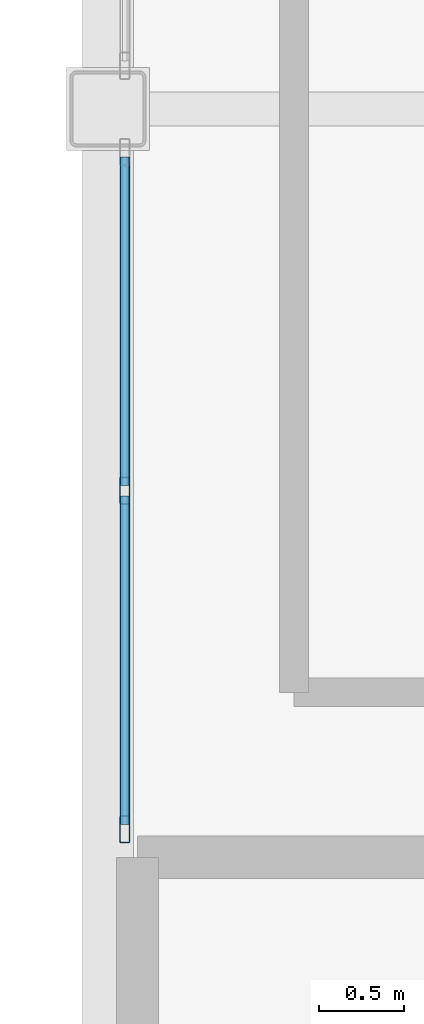
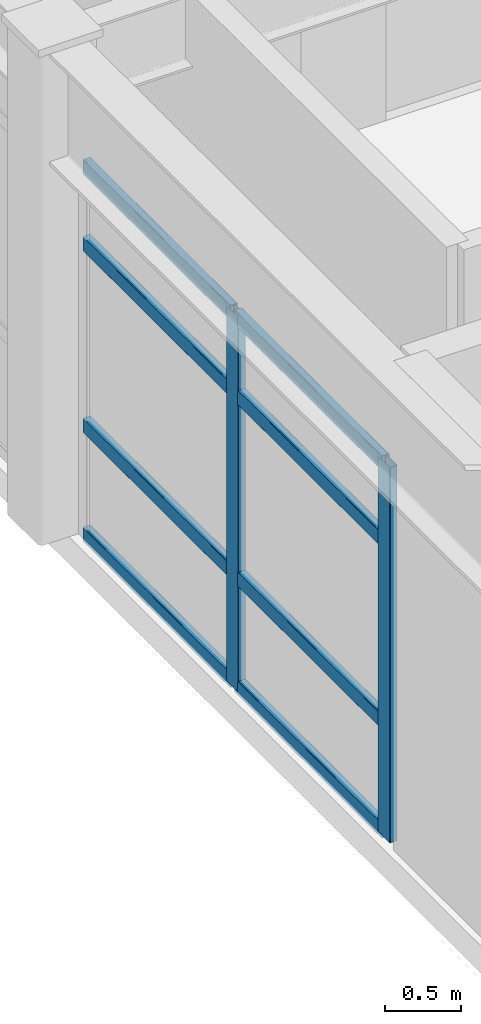
# One storey, part 16 of 34: 10 members, 1 element without a shape of its own.
"""IFC4 building model written with IfcOpenShell, lengths in metres."""

from ifc_helpers import new_model, si_unit, direction, frame, origin, origin_2d, place, context, subcontext, project, spatial, hollow_rectangle, extrude, material, layer, layer_set, material_profile, profile_set, type_object, element, aggregate, save


model = new_model("IFC4")

# Units and contexts
model_context = context("Model", 3, precision=1e-05, world=origin(), true_north=direction((0.0, 1.0)))
body_context = subcontext(model_context, "Body", "Model", "MODEL_VIEW")
ifc_project = project(units=[si_unit("LENGTHUNIT", "METRE"), si_unit("AREAUNIT", "SQUARE_METRE"), si_unit("VOLUMEUNIT", "CUBIC_METRE"), si_unit("PLANEANGLEUNIT", "RADIAN"), si_unit("MASSUNIT", "GRAM", prefix="KILO")], contexts=[model_context])

# Site, building, storey
site_placement = place(None, origin())
site = spatial("IfcSite", under=ifc_project, at=site_placement, CompositionType="ELEMENT")
building_placement = place(site_placement, origin())
building = spatial("IfcBuilding", under=site, at=building_placement, Name="Kazehara Bluff Congress Hotel", CompositionType="ELEMENT")
storey_placement = place(building_placement, frame((0.0, 0.0, 46.199951171875)))
storey = spatial("IfcBuildingStorey", under=building, at=storey_placement, Name="L11", CompositionType="ELEMENT", Elevation=46.199951171875)

# Curtain wall, members
ifc_material_1 = material(Name="Anodised aluminium", Category="aluminium")
ifc_layer = layer(ifc_material_1, 0.159912109375)
ifc_layer_set = layer_set([ifc_layer], Name="Anodised aluminium")
curtain_wall_type = type_object("IfcCurtainWallType", Name="TP-CW-215", PredefinedType="NOTDEFINED", material=ifc_layer_set)
curtain_wall_placement = place(storey_placement, origin())
curtain_wall = element("IfcCurtainWall", 1, at=curtain_wall_placement, inside=storey, type_object=curtain_wall_type, Name="L11 curtain wall CW-215 CW-ENC-V5-L11-14380-5419", PredefinedType="NOTDEFINED")
ifc_material_2 = material(Name="Anodised aluminium", Category="aluminium")
ifc_material_profile_1 = material_profile(ifc_material_2, hollow_rectangle(XDim=0.06005859375, YDim=0.159912109375, WallThickness=0.00390625, InnerFilletRadius=0.00390625, OuterFilletRadius=0.008056640625, at=origin_2d()))
ifc_profile_set_1 = profile_set([ifc_material_profile_1], Name="Anodised aluminium")
member_type_1 = type_object("IfcMemberType", Name="TP-CWM-01", PredefinedType="MULLION", material=ifc_profile_set_1)
member_1_placement = place(storey_placement, frame((143.800048828125, 52.18994140625, 0.0), z_axis=(0.0, 0.0, 1.0), x_axis=(-1.0, 0.0, 0.0)))
member_1 = element("IfcMember", 2, at=member_1_placement, type_object=member_type_1, Name="CW-215 mullion 1", PredefinedType="MULLION", context=body_context, shape_type="SweptSolid", body=[
    extrude(hollow_rectangle(XDim=0.06005859375, YDim=0.159912109375, WallThickness=0.00390625, InnerFilletRadius=0.00390625, OuterFilletRadius=0.008056640625, at=origin_2d()), origin(), (0.0, 0.0, 1.0), 3.025146484375),
])
member_2_placement = place(storey_placement, frame((143.800048828125, 54.1923828125, 0.0), z_axis=(0.0, 0.0, 1.0), x_axis=(-1.0, 0.0, 0.0)))
member_2 = element("IfcMember", 3, at=member_2_placement, type_object=member_type_1, Name="CW-215 mullion 2", PredefinedType="MULLION", context=body_context, shape_type="SweptSolid", body=[
    extrude(hollow_rectangle(XDim=0.06005859375, YDim=0.159912109375, WallThickness=0.00390625, InnerFilletRadius=0.00390625, OuterFilletRadius=0.008056640625, at=origin_2d()), origin(), (0.0, 0.0, 1.0), 3.025146484375),
])
ifc_material_3 = material(Name="Anodised aluminium", Category="aluminium")
ifc_material_profile_2 = material_profile(ifc_material_3, hollow_rectangle(XDim=0.06005859375, YDim=0.1201171875, WallThickness=0.00390625, InnerFilletRadius=0.00390625, OuterFilletRadius=0.008056640625, at=origin_2d()))
ifc_profile_set_2 = profile_set([ifc_material_profile_2], Name="Anodised aluminium")
member_type_2 = type_object("IfcMemberType", Name="TP-CWT-01", PredefinedType="USERDEFINED", material=ifc_profile_set_2)
member_3_placement = place(storey_placement, frame((143.800048828125, 52.219970703125, 0.030029296875), z_axis=(0.0, 1.0, 0.0), x_axis=(-1.0, 0.0, 0.0)))
member_3 = element("IfcMember", 4, at=member_3_placement, type_object=member_type_2, Name="CW-215 transom 1.1", ObjectType="TRANSOM", PredefinedType="USERDEFINED", context=body_context, shape_type="SweptSolid", body=[
    extrude(hollow_rectangle(XDim=0.06005859375, YDim=0.1201171875, WallThickness=0.00390625, InnerFilletRadius=0.00390625, OuterFilletRadius=0.008056640625, at=origin_2d()), origin(), (0.0, 0.0, 1.0), 1.942626953125),
])
member_4_placement = place(storey_placement, frame((143.800048828125, 52.219970703125, 0.91015625), z_axis=(0.0, 1.0, 0.0), x_axis=(-1.0, 0.0, 0.0)))
member_4 = element("IfcMember", 5, at=member_4_placement, type_object=member_type_2, Name="CW-215 transom 1.2", ObjectType="TRANSOM", PredefinedType="USERDEFINED", context=body_context, shape_type="SweptSolid", body=[
    extrude(hollow_rectangle(XDim=0.06005859375, YDim=0.1201171875, WallThickness=0.00390625, InnerFilletRadius=0.00390625, OuterFilletRadius=0.008056640625, at=origin_2d()), origin(), (0.0, 0.0, 1.0), 1.942626953125),
])
member_5_placement = place(storey_placement, frame((143.800048828125, 52.219970703125, 2.375), z_axis=(0.0, 1.0, 0.0), x_axis=(-1.0, 0.0, 0.0)))
member_5 = element("IfcMember", 6, at=member_5_placement, type_object=member_type_2, Name="CW-215 transom 1.3", ObjectType="TRANSOM", PredefinedType="USERDEFINED", context=body_context, shape_type="SweptSolid", body=[
    extrude(hollow_rectangle(XDim=0.06005859375, YDim=0.1201171875, WallThickness=0.00390625, InnerFilletRadius=0.00390625, OuterFilletRadius=0.008056640625, at=origin_2d()), origin(), (0.0, 0.0, 1.0), 1.942626953125),
])
member_6_placement = place(storey_placement, frame((143.800048828125, 52.219970703125, 2.9951171875), z_axis=(0.0, 1.0, 0.0), x_axis=(-1.0, 0.0, 0.0)))
member_6 = element("IfcMember", 7, at=member_6_placement, type_object=member_type_2, Name="CW-215 transom 1.4", ObjectType="TRANSOM", PredefinedType="USERDEFINED", context=body_context, shape_type="SweptSolid", body=[
    extrude(hollow_rectangle(XDim=0.06005859375, YDim=0.1201171875, WallThickness=0.00390625, InnerFilletRadius=0.00390625, OuterFilletRadius=0.008056640625, at=origin_2d()), origin(), (0.0, 0.0, 1.0), 1.942626953125),
])
member_7_placement = place(storey_placement, frame((143.800048828125, 54.222412109375, 0.030029296875), z_axis=(0.0, 1.0, 0.0), x_axis=(-1.0, 0.0, 0.0)))
member_7 = element("IfcMember", 8, at=member_7_placement, type_object=member_type_2, Name="CW-215 transom 2.1", ObjectType="TRANSOM", PredefinedType="USERDEFINED", context=body_context, shape_type="SweptSolid", body=[
    extrude(hollow_rectangle(XDim=0.06005859375, YDim=0.1201171875, WallThickness=0.00390625, InnerFilletRadius=0.00390625, OuterFilletRadius=0.008056640625, at=origin_2d()), origin(), (0.0, 0.0, 1.0), 1.942626953125),
])
member_8_placement = place(storey_placement, frame((143.800048828125, 54.222412109375, 0.91015625), z_axis=(0.0, 1.0, 0.0), x_axis=(-1.0, 0.0, 0.0)))
member_8 = element("IfcMember", 9, at=member_8_placement, type_object=member_type_2, Name="CW-215 transom 2.2", ObjectType="TRANSOM", PredefinedType="USERDEFINED", context=body_context, shape_type="SweptSolid", body=[
    extrude(hollow_rectangle(XDim=0.06005859375, YDim=0.1201171875, WallThickness=0.00390625, InnerFilletRadius=0.00390625, OuterFilletRadius=0.008056640625, at=origin_2d()), origin(), (0.0, 0.0, 1.0), 1.942626953125),
])
member_9_placement = place(storey_placement, frame((143.800048828125, 54.222412109375, 2.375), z_axis=(0.0, 1.0, 0.0), x_axis=(-1.0, 0.0, 0.0)))
member_9 = element("IfcMember", 10, at=member_9_placement, type_object=member_type_2, Name="CW-215 transom 2.3", ObjectType="TRANSOM", PredefinedType="USERDEFINED", context=body_context, shape_type="SweptSolid", body=[
    extrude(hollow_rectangle(XDim=0.06005859375, YDim=0.1201171875, WallThickness=0.00390625, InnerFilletRadius=0.00390625, OuterFilletRadius=0.008056640625, at=origin_2d()), origin(), (0.0, 0.0, 1.0), 1.942626953125),
])
member_10_placement = place(storey_placement, frame((143.800048828125, 54.222412109375, 2.9951171875), z_axis=(0.0, 1.0, 0.0), x_axis=(-1.0, 0.0, 0.0)))
member_10 = element("IfcMember", 11, at=member_10_placement, type_object=member_type_2, Name="CW-215 transom 2.4", ObjectType="TRANSOM", PredefinedType="USERDEFINED", context=body_context, shape_type="SweptSolid", body=[
    extrude(hollow_rectangle(XDim=0.06005859375, YDim=0.1201171875, WallThickness=0.00390625, InnerFilletRadius=0.00390625, OuterFilletRadius=0.008056640625, at=origin_2d()), origin(), (0.0, 0.0, 1.0), 1.942626953125),
])
aggregate(curtain_wall, [member_1, member_2, member_3, member_4, member_5, member_6, member_7, member_8, member_9, member_10])

save(model, "model.ifc")
